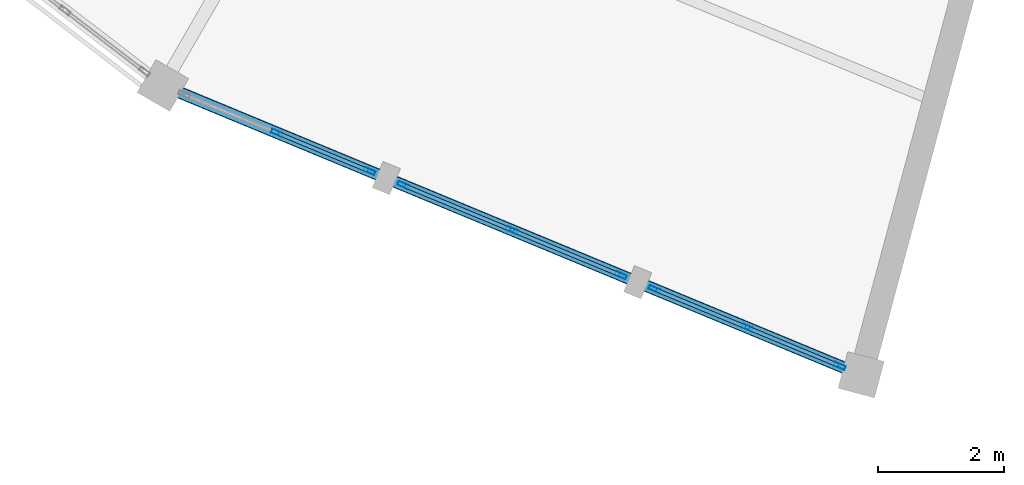
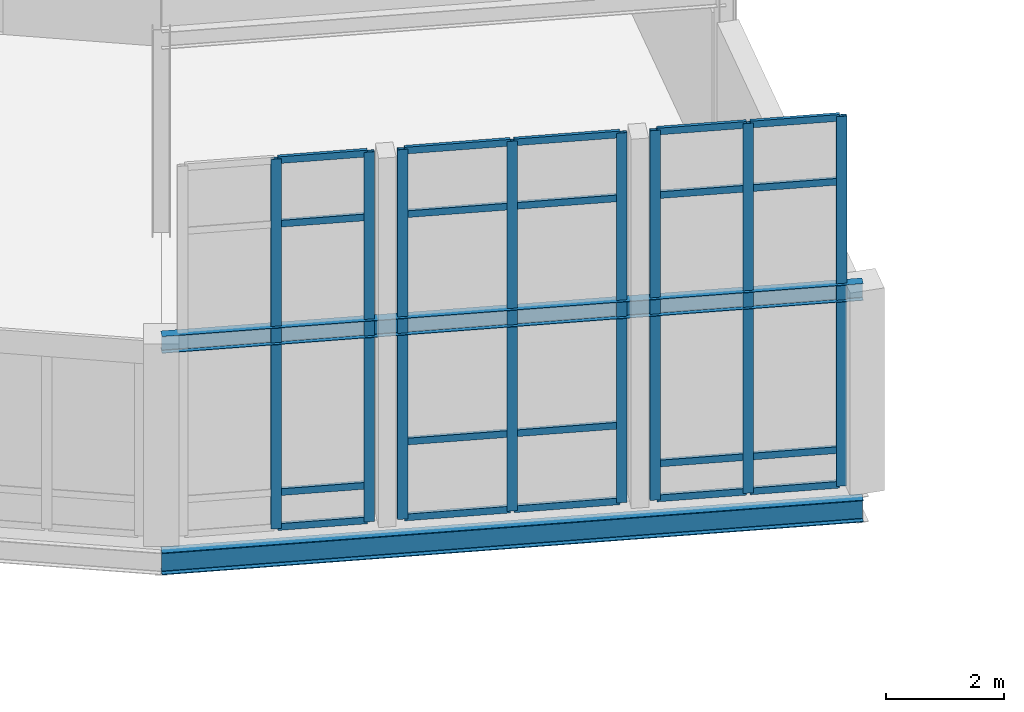
# One storey, part 32 of 170: 28 members, 2 beams, 3 elements without a shape of their own.
"""IFC4 building model written with IfcOpenShell, lengths in metres."""

import ifcopenshell
import ifcopenshell.guid

model = None  # the IFC model being written
_history = None  # IfcOwnerHistory: only IFC2X3 demands one
_inside = {}  # id of a spatial element -> (the spatial element, [elements in it])
_under = {}  # id of a project, library or spatial element -> (it, [spatial elements below it])
_declared = {}  # id of a project -> (the project, [libraries it declares])
_typed = {}  # id of a type object -> (the type object, [elements of that type])
_made_of = {}  # id of a material, layer set ... -> (it, [elements and type objects made of it])


def new_model(schema):
    """Start an empty IFC model of exactly this schema.

    Asked for "IFC4X3", IfcOpenShell would pick the latest addendum, in which some entities
    have other attributes; the version numbers below select the first issue.
    IFC2X3 requires an IfcOwnerHistory on every rooted entity: one is made here for all.
    """
    global model, _history
    if schema == "IFC4X3":
        model = ifcopenshell.file(schema_version=(4, 3, 0, 0))
    else:
        model = ifcopenshell.file(schema=schema)
    _inside.clear()
    _under.clear()
    _declared.clear()
    _typed.clear()
    _made_of.clear()
    _history = None
    if model.schema == "IFC2X3":
        org = make("IfcOrganization", Name="unknown")
        user = make(
            "IfcPersonAndOrganization",
            ThePerson=make("IfcPerson", FamilyName="unknown"),
            TheOrganization=org,
        )
        app = make(
            "IfcApplication",
            ApplicationDeveloper=org,
            Version="unknown",
            ApplicationFullName="unknown",
            ApplicationIdentifier="unknown",
        )
        _history = make(
            "IfcOwnerHistory",
            OwningUser=user,
            OwningApplication=app,
            ChangeAction="ADDED",
            CreationDate=0,
        )
    return model


def make(cls, **values):
    """One entity of the class cls with the attributes given. An attribute that is None is left unset."""
    return model.create_entity(
        cls, **{name: value for name, value in values.items() if value is not None}
    )


def rooted(cls, **values):
    """An entity with a GlobalId (a new one), such as an element, a storey or a relation."""
    return make(cls, GlobalId=ifcopenshell.guid.new(), OwnerHistory=_history, **values)


def si_unit(unit_type, name, prefix=None):
    """IfcSIUnit, for example si_unit("LENGTHUNIT", "METRE", prefix="MILLI")."""
    return make("IfcSIUnit", UnitType=unit_type, Prefix=prefix, Name=name)


def assignment(units):
    """IfcUnitAssignment: the units of a project."""
    return None if units is None else make("IfcUnitAssignment", Units=units)


def point(xyz):
    """IfcCartesianPoint."""
    return None if xyz is None else make("IfcCartesianPoint", Coordinates=xyz)


def direction(xyz):
    """IfcDirection."""
    return None if xyz is None else make("IfcDirection", DirectionRatios=xyz)


def frame(location, z_axis=None, x_axis=None):
    """IfcAxis2Placement3D, a coordinate frame: its origin and axes. An axis left out is left unset."""
    return make(
        "IfcAxis2Placement3D",
        Location=point(location),
        Axis=direction(z_axis),
        RefDirection=direction(x_axis),
    )


def frame_2d(location, x_axis=None):
    """IfcAxis2Placement2D, a coordinate frame in the plane: its origin and x axis."""
    return make(
        "IfcAxis2Placement2D", Location=point(location), RefDirection=direction(x_axis)
    )


def origin():
    """The frame at (0, 0, 0) with its axes left unset."""
    return frame((0.0, 0.0, 0.0))


def origin_2d():
    """The frame at (0, 0) in the plane with its x axis left unset."""
    return frame_2d((0.0, 0.0))


def place(relative_to, where):
    """IfcLocalPlacement: puts the frame where relative to a parent placement (None: the world)."""
    return make(
        "IfcLocalPlacement", PlacementRelTo=relative_to, RelativePlacement=where
    )


def context(
    kind, dimensions, precision=None, world=None, true_north=None, identifier=None
):
    """IfcGeometricRepresentationContext, for example the 3D "Model" context."""
    return make(
        "IfcGeometricRepresentationContext",
        ContextIdentifier=identifier,
        ContextType=kind,
        CoordinateSpaceDimension=dimensions,
        Precision=precision,
        WorldCoordinateSystem=world,
        TrueNorth=true_north,
    )


def subcontext(parent, identifier, kind, view, scale=None):
    """IfcGeometricRepresentationSubContext, for example "Body" below "Model"."""
    return make(
        "IfcGeometricRepresentationSubContext",
        ContextIdentifier=identifier,
        ContextType=kind,
        ParentContext=parent,
        TargetScale=scale,
        TargetView=view,
    )


def project(units=None, contexts=None):
    """IfcProject with its units and contexts."""
    return rooted(
        "IfcProject",
        Name="project",
        RepresentationContexts=contexts,
        UnitsInContext=assignment(units),
    )


def spatial(cls, under=None, at=None, **own):
    """A site, building, storey or space (cls), placed at a placement, below another one or the project."""
    s = rooted(cls, ObjectPlacement=at, **own)
    if under is not None:
        _under.setdefault(under.id(), (under, []))[1].append(s)
    return s


def profile(cls, at=None, kind="AREA", **sizes):
    """A parametric profile (cls). Its sizes go by their IFC names, for example OverallWidth=200.0."""
    return make(cls, ProfileType=kind, Position=at, **sizes)


def hollow_rectangle(**sizes):
    """IfcRectangleHollowProfileDef."""
    return profile("IfcRectangleHollowProfileDef", **sizes)


def i_section(**sizes):
    """IfcIShapeProfileDef."""
    return profile("IfcIShapeProfileDef", **sizes)


def extrude(swept, where, along, depth):
    """IfcExtrudedAreaSolid: the profile swept, set in the frame where, extruded along a direction by depth."""
    return make(
        "IfcExtrudedAreaSolid",
        SweptArea=swept,
        Position=where,
        ExtrudedDirection=direction(along),
        Depth=depth,
    )


def shape(context_of_items, identifier, shape_type, items):
    """IfcShapeRepresentation: the items that make up one representation, for example the "Body"."""
    return make(
        "IfcShapeRepresentation",
        ContextOfItems=context_of_items,
        RepresentationIdentifier=identifier,
        RepresentationType=shape_type,
        Items=items,
    )


def material(Name=None, Category=None):
    """IfcMaterial."""
    return make("IfcMaterial", Name=Name, Category=Category)


def material_profile(
    of_material, cross_section, Name=None, Category=None, Priority=None
):
    """IfcMaterialProfile: a cross section and its material."""
    return make(
        "IfcMaterialProfile",
        Name=Name,
        Material=of_material,
        Profile=cross_section,
        Priority=Priority,
        Category=Category,
    )


def profile_set(profiles, Name=None, composite=None):
    """IfcMaterialProfileSet."""
    return make(
        "IfcMaterialProfileSet",
        Name=Name,
        MaterialProfiles=profiles,
        CompositeProfile=composite,
    )


def made_of(thing, what):
    """Note that an element or type object is made of a material, layer set ...; save() writes the relation."""
    if what is not None:
        _made_of.setdefault(what.id(), (what, []))[1].append(thing)
    return thing


def type_object(cls, material=None, **own):
    """A type object (cls), such as IfcWallType, which elements share."""
    return made_of(rooted(cls, **own), material)


def element(
    cls,
    number,
    at=None,
    inside=None,
    cuts=None,
    type_object=None,
    material=None,
    context=None,
    identifier="Body",
    shape_type=None,
    held_by="IfcProductDefinitionShape",
    body=None,
    shapes=None,
    **own,
):
    """One element of the class cls, such as IfcWall. Its Tag is "e" and its number.

    at: its placement. inside: the storey or other place that contains it. cuts: it is an
    opening in that element (IfcRelVoidsElement). A single representation is given by context,
    identifier, shape_type and body (its items); several are given by shapes. held_by: the class
    of the entity that holds the representations. save() writes the other relations.
    """
    e = rooted(cls, Tag="e%d" % number, ObjectPlacement=at, **own)
    if body is not None:
        shapes = [shape(context, identifier, shape_type, body)]
    if shapes is not None:
        e.Representation = make(held_by, Representations=shapes)
    if inside is not None:
        _inside.setdefault(inside.id(), (inside, []))[1].append(e)
    if cuts is not None:
        rooted(
            "IfcRelVoidsElement", RelatingBuildingElement=cuts, RelatedOpeningElement=e
        )
    if type_object is not None:
        _typed.setdefault(type_object.id(), (type_object, []))[1].append(e)
    return made_of(e, material)


def aggregate(whole, parts):
    """IfcRelAggregates: a whole, such as a stair, and the parts it consists of."""
    return rooted("IfcRelAggregates", RelatingObject=whole, RelatedObjects=parts)


def save(model, path):
    """Write the relations noted so far, then the file.

    IfcRelAggregates (storeys below a building ...), IfcRelContainedInSpatialStructure (elements
    in a storey), IfcRelDefinesByType, IfcRelAssociatesMaterial and IfcRelDeclares: one each for
    every whole, place, type object, material and project.
    """
    for whole, parts in _under.values():
        aggregate(whole, parts)
    for where, things in _inside.values():
        rooted(
            "IfcRelContainedInSpatialStructure",
            RelatedElements=things,
            RelatingStructure=where,
        )
    for kind, things in _typed.values():
        rooted("IfcRelDefinesByType", RelatedObjects=things, RelatingType=kind)
    for what, things in _made_of.values():
        rooted("IfcRelAssociatesMaterial", RelatedObjects=things, RelatingMaterial=what)
    for by, libraries in _declared.values():
        rooted("IfcRelDeclares", RelatingContext=by, RelatedDefinitions=libraries)
    model.write(path)


model = new_model("IFC4")

# Units and contexts
model_context = context("Model", 3, precision=1e-05, world=origin(), true_north=direction((0.0, 1.0)))
body_context = subcontext(model_context, "Body", "Model", "MODEL_VIEW")
ifc_project = project(units=[si_unit("LENGTHUNIT", "METRE"), si_unit("AREAUNIT", "SQUARE_METRE"), si_unit("VOLUMEUNIT", "CUBIC_METRE"), si_unit("PLANEANGLEUNIT", "RADIAN"), si_unit("MASSUNIT", "GRAM", prefix="KILO")], contexts=[model_context])

# Site, building, storey
site_placement = place(None, origin())
site = spatial("IfcSite", under=ifc_project, at=site_placement, CompositionType="ELEMENT")
building_placement = place(site_placement, origin())
building = spatial("IfcBuilding", under=site, at=building_placement, Name="Vondelvale Polytechnic", CompositionType="ELEMENT")
storey_placement = place(building_placement, frame((0.0, 0.0, 5.39990234375)))
storey = spatial("IfcBuildingStorey", under=building, at=storey_placement, Name="L01", CompositionType="ELEMENT", Elevation=5.39990234375)

# Beams
ifc_material_1 = material(Name="Steel 300PLUS (fy = 300 MPa)", Category="steel")
ifc_material_profile_1 = material_profile(ifc_material_1, i_section(OverallWidth=0.1708984375, OverallDepth=0.35205078125, WebThickness=0.0068359375, FlangeThickness=0.009765625, FilletRadius=0.011474609375, at=origin_2d()), Name="360UB44.7")
ifc_profile_set_1 = profile_set([ifc_material_profile_1], Name="Steel 300PLUS (fy = 300 MPa)")
beam_type_1 = type_object("IfcBeamType", Name="BM-UB360L", PredefinedType="BEAM", material=ifc_profile_set_1)
beam_1_placement = place(storey_placement, frame((79.0, 32.162841796875, 4.024169921875), z_axis=(0.923877323614, -0.382688765072, 0.0), x_axis=(0.382688765072, 0.923877323614, 0.0)))
element("IfcBeam", 1, at=beam_1_placement, inside=storey, type_object=beam_type_1, Name="L01 RE B-24", PredefinedType="BEAM", context=body_context, shape_type="SweptSolid", body=[
    extrude(i_section(OverallWidth=0.1708984375, OverallDepth=0.35205078125, WebThickness=0.0068359375, FlangeThickness=0.009765625, FilletRadius=0.011474609375, at=origin_2d()), origin(), (0.0, 0.0, 1.0), 12.00830078125),
])
ifc_material_profile_2 = material_profile(ifc_material_1, i_section(OverallWidth=0.18994140625, OverallDepth=0.45703125, WebThickness=0.009033203125, FlangeThickness=0.014404296875, FilletRadius=0.011474609375, at=origin_2d()), Name="460UB74.6")
ifc_profile_set_2 = profile_set([ifc_material_profile_2], Name="Steel 300PLUS (fy = 300 MPa)")
beam_type_2 = type_object("IfcBeamType", Name="BM-UB460", PredefinedType="BEAM", material=ifc_profile_set_2)
beam_2_placement = place(storey_placement, frame((79.0, 32.162841796875, -0.50830078125), z_axis=(0.923877323614, -0.382688765072, 0.0), x_axis=(0.382688765072, 0.923877323614, 0.0)))
element("IfcBeam", 2, at=beam_2_placement, inside=storey, type_object=beam_type_2, Name="L01 RB B-13", PredefinedType="BEAM", context=body_context, shape_type="SweptSolid", body=[
    extrude(i_section(OverallWidth=0.18994140625, OverallDepth=0.45703125, WebThickness=0.009033203125, FlangeThickness=0.014404296875, FilletRadius=0.011474609375, at=origin_2d()), origin(), (0.0, 0.0, 1.0), 12.00830078125),
])

# Curtain wall, members
ifc_material_2 = material(Name="Glulam GL18 structural Tasmanian oak (fb = 42 MPa)", Category="wood")
curtain_wall_type = type_object("IfcCurtainWallType", Name="CW-RING-OUTER", PredefinedType="NOTDEFINED", material=ifc_material_2)
curtain_wall_1_placement = place(storey_placement, origin())
curtain_wall_1 = element("IfcCurtainWall", 3, at=curtain_wall_1_placement, inside=storey, type_object=curtain_wall_type, Name="L01 architectural curtain wall CW-04-330", PredefinedType="NOTDEFINED")
ifc_material_3 = material(Name="Anodised extruded aluminium 6063-T6", Category="aluminium")
ifc_material_profile_3 = material_profile(ifc_material_3, hollow_rectangle(XDim=0.06494140625, YDim=0.179931640625, WallThickness=0.00390625, at=origin_2d()), Name="CW-MUL-180x65")
ifc_profile_set_3 = profile_set([ifc_material_profile_3], Name="Anodised extruded aluminium 6063-T6")
member_type_1 = type_object("IfcMemberType", Name="CW-MUL-65x180", PredefinedType="MULLION", material=ifc_profile_set_3)
member_1_placement = place(storey_placement, frame((80.81103515625, 31.41259765625, 0.0), z_axis=(0.0, 0.0, 1.0), x_axis=(0.382677394529, 0.923882033442, 0.0)))
member_1 = element("IfcMember", 4, at=member_1_placement, type_object=member_type_1, Name="CW-04-330 mullion 2", PredefinedType="MULLION", context=body_context, shape_type="SweptSolid", body=[
    extrude(hollow_rectangle(XDim=0.06494140625, YDim=0.179931640625, WallThickness=0.00390625, at=origin_2d()), origin(), (0.0, 0.0, 1.0), 7.661376953125),
])
member_2_placement = place(storey_placement, frame((82.28466796875, 30.80224609375, 0.0), z_axis=(0.0, 0.0, 1.0), x_axis=(0.382677394529, 0.923882033442, 0.0)))
member_2 = element("IfcMember", 5, at=member_2_placement, type_object=member_type_1, Name="CW-04-330 mullion 3", PredefinedType="MULLION", context=body_context, shape_type="SweptSolid", body=[
    extrude(hollow_rectangle(XDim=0.06494140625, YDim=0.179931640625, WallThickness=0.00390625, at=origin_2d()), origin(), (0.0, 0.0, 1.0), 7.661376953125),
])

curtain_wall_2_placement = place(storey_placement, origin())
curtain_wall_2 = element("IfcCurtainWall", 6, at=curtain_wall_2_placement, inside=storey, type_object=curtain_wall_type, Name="L01 architectural curtain wall CW-04-331", PredefinedType="NOTDEFINED")
member_3_placement = place(storey_placement, frame((82.81591796875, 30.582275390625, 0.0), z_axis=(0.0, 0.0, 1.0), x_axis=(0.382694599123, 0.92387490701, 0.0)))
member_3 = element("IfcMember", 7, at=member_3_placement, type_object=member_type_1, Name="CW-04-331 mullion 1", PredefinedType="MULLION", context=body_context, shape_type="SweptSolid", body=[
    extrude(hollow_rectangle(XDim=0.06494140625, YDim=0.179931640625, WallThickness=0.00390625, at=origin_2d()), origin(), (0.0, 0.0, 1.0), 7.661376953125),
])
member_4_placement = place(storey_placement, frame((84.547119140625, 29.864990234375, 0.0), z_axis=(0.0, 0.0, 1.0), x_axis=(0.382694599123, 0.92387490701, 0.0)))
member_4 = element("IfcMember", 8, at=member_4_placement, type_object=member_type_1, Name="CW-04-331 mullion 2", PredefinedType="MULLION", context=body_context, shape_type="SweptSolid", body=[
    extrude(hollow_rectangle(XDim=0.06494140625, YDim=0.179931640625, WallThickness=0.00390625, at=origin_2d()), origin(), (0.0, 0.0, 1.0), 7.661376953125),
])
member_5_placement = place(storey_placement, frame((86.278564453125, 29.14794921875, 0.0), z_axis=(0.0, 0.0, 1.0), x_axis=(0.382694599123, 0.92387490701, 0.0)))
member_5 = element("IfcMember", 9, at=member_5_placement, type_object=member_type_1, Name="CW-04-331 mullion 3", PredefinedType="MULLION", context=body_context, shape_type="SweptSolid", body=[
    extrude(hollow_rectangle(XDim=0.06494140625, YDim=0.179931640625, WallThickness=0.00390625, at=origin_2d()), origin(), (0.0, 0.0, 1.0), 7.661376953125),
])

curtain_wall_3_placement = place(storey_placement, origin())
curtain_wall_3 = element("IfcCurtainWall", 10, at=curtain_wall_3_placement, inside=storey, type_object=curtain_wall_type, Name="L01 architectural curtain wall CW-04-332", PredefinedType="NOTDEFINED")
member_6_placement = place(storey_placement, frame((86.809814453125, 28.927978515625, 0.0), z_axis=(0.0, 0.0, 1.0), x_axis=(0.382677394529, 0.923882033442, 0.0)))
member_6 = element("IfcMember", 11, at=member_6_placement, type_object=member_type_1, Name="CW-04-332 mullion 1", PredefinedType="MULLION", context=body_context, shape_type="SweptSolid", body=[
    extrude(hollow_rectangle(XDim=0.06494140625, YDim=0.179931640625, WallThickness=0.00390625, at=origin_2d()), origin(), (0.0, 0.0, 1.0), 7.661376953125),
])
member_7_placement = place(storey_placement, frame((88.283203125, 28.3173828125, 0.0), z_axis=(0.0, 0.0, 1.0), x_axis=(0.382677394529, 0.923882033442, 0.0)))
member_7 = element("IfcMember", 12, at=member_7_placement, type_object=member_type_1, Name="CW-04-332 mullion 2", PredefinedType="MULLION", context=body_context, shape_type="SweptSolid", body=[
    extrude(hollow_rectangle(XDim=0.06494140625, YDim=0.179931640625, WallThickness=0.00390625, at=origin_2d()), origin(), (0.0, 0.0, 1.0), 7.661376953125),
])
member_8_placement = place(storey_placement, frame((89.7568359375, 27.70703125, 0.0), z_axis=(0.0, 0.0, 1.0), x_axis=(0.382677394529, 0.923882033442, 0.0)))
member_8 = element("IfcMember", 13, at=member_8_placement, type_object=member_type_1, Name="CW-04-332 mullion 3", PredefinedType="MULLION", context=body_context, shape_type="SweptSolid", body=[
    extrude(hollow_rectangle(XDim=0.06494140625, YDim=0.179931640625, WallThickness=0.00390625, at=origin_2d()), origin(), (0.0, 0.0, 1.0), 7.661376953125),
])

# Member
ifc_material_profile_4 = material_profile(ifc_material_3, hollow_rectangle(XDim=0.06005859375, YDim=0.139892578125, WallThickness=0.00341796875, at=origin_2d()), Name="CW-TRN-140x60")
ifc_profile_set_4 = profile_set([ifc_material_profile_4], Name="Anodised extruded aluminium 6063-T6")
member_type_2 = type_object("IfcMemberType", Name="CW-TRN-60x140", PredefinedType="USERDEFINED", material=ifc_profile_set_4)
member_9_placement = place(storey_placement, frame((80.841064453125, 31.400146484375, 0.030029296875), z_axis=(0.923896260346, -0.382643045304, 0.0), x_axis=(0.382643045304, 0.923896260346, 0.0)))
member_9 = element("IfcMember", 14, at=member_9_placement, type_object=member_type_2, Name="CW-04-330 transom 2.1", ObjectType="TRANSOM", PredefinedType="USERDEFINED", context=body_context, shape_type="SweptSolid", body=[
    extrude(hollow_rectangle(XDim=0.06005859375, YDim=0.139892578125, WallThickness=0.00341796875, at=origin_2d()), origin(), (0.0, 0.0, 1.0), 1.530029296875),
])

member_10_placement = place(storey_placement, frame((80.841064453125, 31.400146484375, 0.75), z_axis=(0.923896260346, -0.382643045304, 0.0), x_axis=(0.382643045304, 0.923896260346, 0.0)))
member_10 = element("IfcMember", 15, at=member_10_placement, type_object=member_type_2, Name="CW-04-330 transom 2.2", ObjectType="TRANSOM", PredefinedType="USERDEFINED", context=body_context, shape_type="SweptSolid", body=[
    extrude(hollow_rectangle(XDim=0.06005859375, YDim=0.139892578125, WallThickness=0.00341796875, at=origin_2d()), origin(), (0.0, 0.0, 1.0), 1.530029296875),
])

member_11_placement = place(storey_placement, frame((80.841064453125, 31.400146484375, 6.3115234375), z_axis=(0.923896260346, -0.382643045304, 0.0), x_axis=(0.382643045304, 0.923896260346, 0.0)))
member_11 = element("IfcMember", 16, at=member_11_placement, type_object=member_type_2, Name="CW-04-330 transom 2.3", ObjectType="TRANSOM", PredefinedType="USERDEFINED", context=body_context, shape_type="SweptSolid", body=[
    extrude(hollow_rectangle(XDim=0.06005859375, YDim=0.139892578125, WallThickness=0.00341796875, at=origin_2d()), origin(), (0.0, 0.0, 1.0), 1.530029296875),
])

member_12_placement = place(storey_placement, frame((80.841064453125, 31.400146484375, 7.631591796875), z_axis=(0.923896260346, -0.382643045304, 0.0), x_axis=(0.382643045304, 0.923896260346, 0.0)))
member_12 = element("IfcMember", 17, at=member_12_placement, type_object=member_type_2, Name="CW-04-330 transom 2.4", ObjectType="TRANSOM", PredefinedType="USERDEFINED", context=body_context, shape_type="SweptSolid", body=[
    extrude(hollow_rectangle(XDim=0.06005859375, YDim=0.139892578125, WallThickness=0.00341796875, at=origin_2d()), origin(), (0.0, 0.0, 1.0), 1.530029296875),
])

aggregate(curtain_wall_1, [member_1, member_2, member_9, member_10, member_11, member_12])

member_13_placement = place(storey_placement, frame((82.845947265625, 30.56982421875, 0.030029296875), z_axis=(0.92384573676, -0.382765012338, 0.0), x_axis=(0.382765012338, 0.92384573676, 0.0)))
member_13 = element("IfcMember", 18, at=member_13_placement, type_object=member_type_2, Name="CW-04-331 transom 1.1", ObjectType="TRANSOM", PredefinedType="USERDEFINED", context=body_context, shape_type="SweptSolid", body=[
    extrude(hollow_rectangle(XDim=0.06005859375, YDim=0.139892578125, WallThickness=0.00341796875, at=origin_2d()), origin(), (0.0, 0.0, 1.0), 1.808837890625),
])

member_14_placement = place(storey_placement, frame((82.845947265625, 30.56982421875, 1.60009765625), z_axis=(0.92384573676, -0.382765012338, 0.0), x_axis=(0.382765012338, 0.92384573676, 0.0)))
member_14 = element("IfcMember", 19, at=member_14_placement, type_object=member_type_2, Name="CW-04-331 transom 1.2", ObjectType="TRANSOM", PredefinedType="USERDEFINED", context=body_context, shape_type="SweptSolid", body=[
    extrude(hollow_rectangle(XDim=0.06005859375, YDim=0.139892578125, WallThickness=0.00341796875, at=origin_2d()), origin(), (0.0, 0.0, 1.0), 1.808837890625),
])

member_15_placement = place(storey_placement, frame((82.845947265625, 30.56982421875, 6.3115234375), z_axis=(0.92384573676, -0.382765012338, 0.0), x_axis=(0.382765012338, 0.92384573676, 0.0)))
member_15 = element("IfcMember", 20, at=member_15_placement, type_object=member_type_2, Name="CW-04-331 transom 1.3", ObjectType="TRANSOM", PredefinedType="USERDEFINED", context=body_context, shape_type="SweptSolid", body=[
    extrude(hollow_rectangle(XDim=0.06005859375, YDim=0.139892578125, WallThickness=0.00341796875, at=origin_2d()), origin(), (0.0, 0.0, 1.0), 1.808837890625),
])

member_16_placement = place(storey_placement, frame((82.845947265625, 30.56982421875, 7.631591796875), z_axis=(0.92384573676, -0.382765012338, 0.0), x_axis=(0.382765012338, 0.92384573676, 0.0)))
member_16 = element("IfcMember", 21, at=member_16_placement, type_object=member_type_2, Name="CW-04-331 transom 1.4", ObjectType="TRANSOM", PredefinedType="USERDEFINED", context=body_context, shape_type="SweptSolid", body=[
    extrude(hollow_rectangle(XDim=0.06005859375, YDim=0.139892578125, WallThickness=0.00341796875, at=origin_2d()), origin(), (0.0, 0.0, 1.0), 1.808837890625),
])

member_17_placement = place(storey_placement, frame((84.5771484375, 29.852783203125, 0.030029296875), z_axis=(0.923865506878, -0.382717291485, 0.0), x_axis=(0.382717291485, 0.923865506878, 0.0)))
member_17 = element("IfcMember", 22, at=member_17_placement, type_object=member_type_2, Name="CW-04-331 transom 2.1", ObjectType="TRANSOM", PredefinedType="USERDEFINED", context=body_context, shape_type="SweptSolid", body=[
    extrude(hollow_rectangle(XDim=0.06005859375, YDim=0.139892578125, WallThickness=0.00341796875, at=origin_2d()), origin(), (0.0, 0.0, 1.0), 1.80908203125),
])

member_18_placement = place(storey_placement, frame((84.5771484375, 29.852783203125, 1.60009765625), z_axis=(0.923865506878, -0.382717291485, 0.0), x_axis=(0.382717291485, 0.923865506878, 0.0)))
member_18 = element("IfcMember", 23, at=member_18_placement, type_object=member_type_2, Name="CW-04-331 transom 2.2", ObjectType="TRANSOM", PredefinedType="USERDEFINED", context=body_context, shape_type="SweptSolid", body=[
    extrude(hollow_rectangle(XDim=0.06005859375, YDim=0.139892578125, WallThickness=0.00341796875, at=origin_2d()), origin(), (0.0, 0.0, 1.0), 1.80908203125),
])

member_19_placement = place(storey_placement, frame((84.5771484375, 29.852783203125, 6.3115234375), z_axis=(0.923865506878, -0.382717291485, 0.0), x_axis=(0.382717291485, 0.923865506878, 0.0)))
member_19 = element("IfcMember", 24, at=member_19_placement, type_object=member_type_2, Name="CW-04-331 transom 2.3", ObjectType="TRANSOM", PredefinedType="USERDEFINED", context=body_context, shape_type="SweptSolid", body=[
    extrude(hollow_rectangle(XDim=0.06005859375, YDim=0.139892578125, WallThickness=0.00341796875, at=origin_2d()), origin(), (0.0, 0.0, 1.0), 1.80908203125),
])

member_20_placement = place(storey_placement, frame((84.5771484375, 29.852783203125, 7.631591796875), z_axis=(0.923865506878, -0.382717291485, 0.0), x_axis=(0.382717291485, 0.923865506878, 0.0)))
member_20 = element("IfcMember", 25, at=member_20_placement, type_object=member_type_2, Name="CW-04-331 transom 2.4", ObjectType="TRANSOM", PredefinedType="USERDEFINED", context=body_context, shape_type="SweptSolid", body=[
    extrude(hollow_rectangle(XDim=0.06005859375, YDim=0.139892578125, WallThickness=0.00341796875, at=origin_2d()), origin(), (0.0, 0.0, 1.0), 1.80908203125),
])

aggregate(curtain_wall_2, [member_3, member_4, member_5, member_13, member_14, member_15, member_16, member_17, member_18, member_19, member_20])

member_21_placement = place(storey_placement, frame((86.83984375, 28.91552734375, 0.030029296875), z_axis=(0.923816459452, -0.382835668721, 0.0), x_axis=(0.382835668721, 0.923816459452, 0.0)))
member_21 = element("IfcMember", 26, at=member_21_placement, type_object=member_type_2, Name="CW-04-332 transom 1.1", ObjectType="TRANSOM", PredefinedType="USERDEFINED", context=body_context, shape_type="SweptSolid", body=[
    extrude(hollow_rectangle(XDim=0.06005859375, YDim=0.139892578125, WallThickness=0.00341796875, at=origin_2d()), origin(), (0.0, 0.0, 1.0), 1.52978515625),
])

member_22_placement = place(storey_placement, frame((86.83984375, 28.91552734375, 0.75), z_axis=(0.923816459452, -0.382835668721, 0.0), x_axis=(0.382835668721, 0.923816459452, 0.0)))
member_22 = element("IfcMember", 27, at=member_22_placement, type_object=member_type_2, Name="CW-04-332 transom 1.2", ObjectType="TRANSOM", PredefinedType="USERDEFINED", context=body_context, shape_type="SweptSolid", body=[
    extrude(hollow_rectangle(XDim=0.06005859375, YDim=0.139892578125, WallThickness=0.00341796875, at=origin_2d()), origin(), (0.0, 0.0, 1.0), 1.52978515625),
])

member_23_placement = place(storey_placement, frame((86.83984375, 28.91552734375, 6.3115234375), z_axis=(0.923816459452, -0.382835668721, 0.0), x_axis=(0.382835668721, 0.923816459452, 0.0)))
member_23 = element("IfcMember", 28, at=member_23_placement, type_object=member_type_2, Name="CW-04-332 transom 1.3", ObjectType="TRANSOM", PredefinedType="USERDEFINED", context=body_context, shape_type="SweptSolid", body=[
    extrude(hollow_rectangle(XDim=0.06005859375, YDim=0.139892578125, WallThickness=0.00341796875, at=origin_2d()), origin(), (0.0, 0.0, 1.0), 1.52978515625),
])

member_24_placement = place(storey_placement, frame((86.83984375, 28.91552734375, 7.631591796875), z_axis=(0.923816459452, -0.382835668721, 0.0), x_axis=(0.382835668721, 0.923816459452, 0.0)))
member_24 = element("IfcMember", 29, at=member_24_placement, type_object=member_type_2, Name="CW-04-332 transom 1.4", ObjectType="TRANSOM", PredefinedType="USERDEFINED", context=body_context, shape_type="SweptSolid", body=[
    extrude(hollow_rectangle(XDim=0.06005859375, YDim=0.139892578125, WallThickness=0.00341796875, at=origin_2d()), origin(), (0.0, 0.0, 1.0), 1.52978515625),
])

member_25_placement = place(storey_placement, frame((88.313232421875, 28.30517578125, 0.030029296875), z_axis=(0.923839843027, -0.382779237206, 0.0), x_axis=(0.382779237206, 0.923839843027, 0.0)))
member_25 = element("IfcMember", 30, at=member_25_placement, type_object=member_type_2, Name="CW-04-332 transom 2.1", ObjectType="TRANSOM", PredefinedType="USERDEFINED", context=body_context, shape_type="SweptSolid", body=[
    extrude(hollow_rectangle(XDim=0.06005859375, YDim=0.139892578125, WallThickness=0.00341796875, at=origin_2d()), origin(), (0.0, 0.0, 1.0), 1.530029296875),
])

member_26_placement = place(storey_placement, frame((88.313232421875, 28.30517578125, 0.75), z_axis=(0.923839843027, -0.382779237206, 0.0), x_axis=(0.382779237206, 0.923839843027, 0.0)))
member_26 = element("IfcMember", 31, at=member_26_placement, type_object=member_type_2, Name="CW-04-332 transom 2.2", ObjectType="TRANSOM", PredefinedType="USERDEFINED", context=body_context, shape_type="SweptSolid", body=[
    extrude(hollow_rectangle(XDim=0.06005859375, YDim=0.139892578125, WallThickness=0.00341796875, at=origin_2d()), origin(), (0.0, 0.0, 1.0), 1.530029296875),
])

member_27_placement = place(storey_placement, frame((88.313232421875, 28.30517578125, 6.3115234375), z_axis=(0.923839843027, -0.382779237206, 0.0), x_axis=(0.382779237206, 0.923839843027, 0.0)))
member_27 = element("IfcMember", 32, at=member_27_placement, type_object=member_type_2, Name="CW-04-332 transom 2.3", ObjectType="TRANSOM", PredefinedType="USERDEFINED", context=body_context, shape_type="SweptSolid", body=[
    extrude(hollow_rectangle(XDim=0.06005859375, YDim=0.139892578125, WallThickness=0.00341796875, at=origin_2d()), origin(), (0.0, 0.0, 1.0), 1.530029296875),
])

member_28_placement = place(storey_placement, frame((88.313232421875, 28.30517578125, 7.631591796875), z_axis=(0.923839843027, -0.382779237206, 0.0), x_axis=(0.382779237206, 0.923839843027, 0.0)))
member_28 = element("IfcMember", 33, at=member_28_placement, type_object=member_type_2, Name="CW-04-332 transom 2.4", ObjectType="TRANSOM", PredefinedType="USERDEFINED", context=body_context, shape_type="SweptSolid", body=[
    extrude(hollow_rectangle(XDim=0.06005859375, YDim=0.139892578125, WallThickness=0.00341796875, at=origin_2d()), origin(), (0.0, 0.0, 1.0), 1.530029296875),
])

aggregate(curtain_wall_3, [member_6, member_7, member_8, member_21, member_22, member_23, member_24, member_25, member_26, member_27, member_28])

save(model, "model.ifc")
